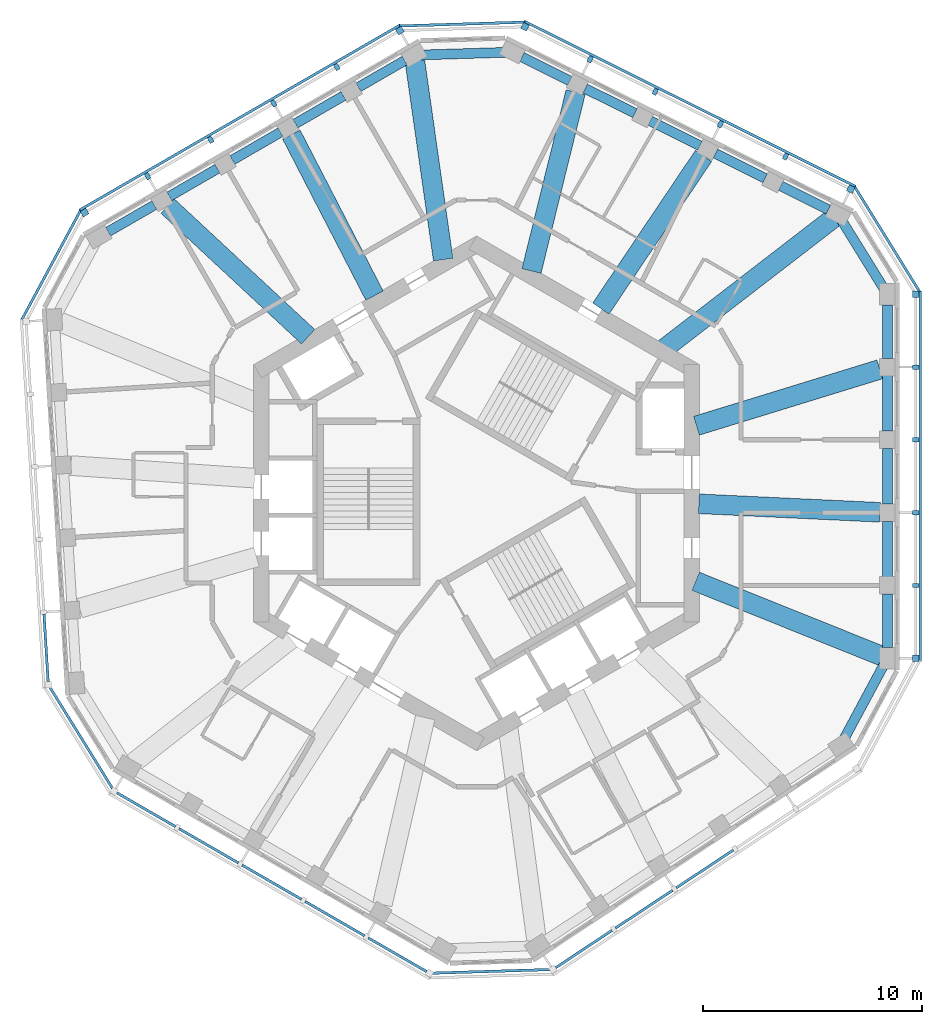
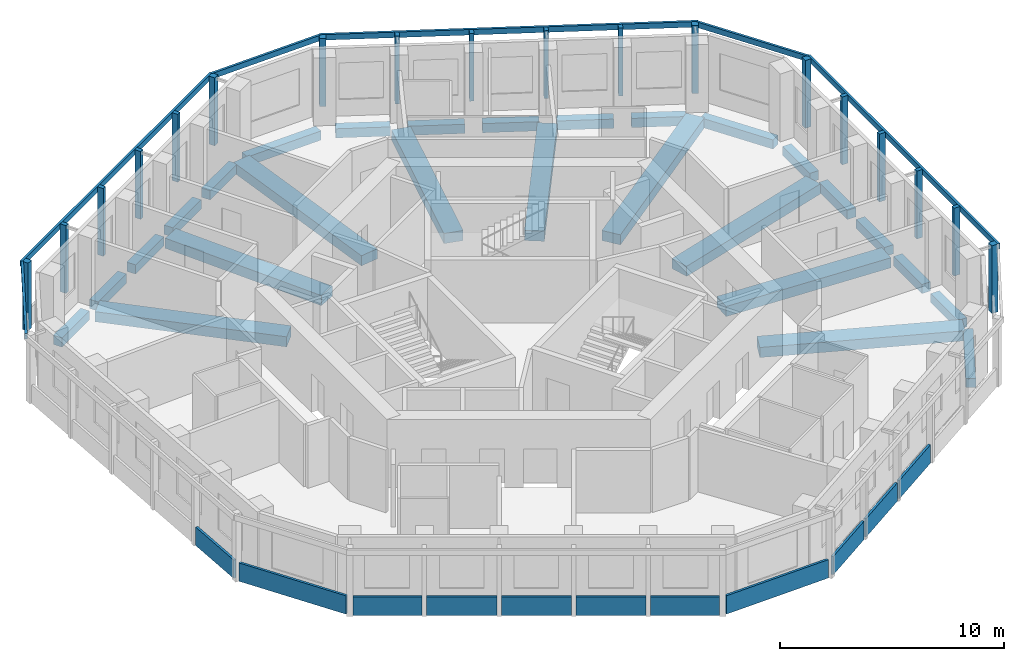
# One storey, part 2 of 11: 27 beams, 24 members, 11 plates, 11 elements without a shape of their own.
"""IFC4 building model written with IfcOpenShell, lengths in metres."""

from ifc_helpers import new_model, si_unit, direction, frame, origin, origin_2d, place, context, subcontext, project, spatial, rectangle, extrude, material, layer, layer_set, material_profile, profile_set, type_object, element, aggregate, save


model = new_model("IFC4")

# Units and contexts
model_context = context("Model", 3, precision=1e-05, world=origin(), true_north=direction((0.0, 1.0)))
body_context = subcontext(model_context, "Body", "Model", "MODEL_VIEW")
ifc_project = project(units=[si_unit("LENGTHUNIT", "METRE"), si_unit("AREAUNIT", "SQUARE_METRE"), si_unit("VOLUMEUNIT", "CUBIC_METRE"), si_unit("PLANEANGLEUNIT", "RADIAN"), si_unit("MASSUNIT", "GRAM", prefix="KILO")], contexts=[model_context])

# Site, building, storey
site_placement = place(None, origin())
site = spatial("IfcSite", under=ifc_project, at=site_placement, CompositionType="ELEMENT")
building_placement = place(site_placement, origin())
building = spatial("IfcBuilding", under=site, at=building_placement, Name="Vanh Sen Convention Tower", CompositionType="ELEMENT")
storey_placement = place(building_placement, frame((0.0, 0.0, 285.699951171875)))
storey = spatial("IfcBuildingStorey", under=building, at=storey_placement, Name="L70", CompositionType="ELEMENT", Elevation=285.699951171875)

# Curtain wall, members
ifc_material_1 = material(Name="Concrete C50/60", Category="concrete")
curtain_wall_type = type_object("IfcCurtainWallType", Name="Outer skin office zone", PredefinedType="NOTDEFINED", material=ifc_material_1)
curtain_wall_1_placement = place(storey_placement, origin())
curtain_wall_1 = element("IfcCurtainWall", 1, at=curtain_wall_1_placement, inside=storey, type_object=curtain_wall_type, Name="OUTER SKIN E L70", PredefinedType="NOTDEFINED")
ifc_material_profile_1 = material_profile(ifc_material_1, rectangle(XDim=0.300048828125, YDim=0.300048828125, at=origin_2d()), Name="Outer skin precast corner fin 300 x 300")
ifc_profile_set_1 = profile_set([ifc_material_profile_1], Name="Concrete C50/60")
member_type_1 = type_object("IfcMemberType", Name="Outer skin precast corner fin 300 x 300", PredefinedType="MULLION", material=ifc_profile_set_1)
member_1_placement = place(storey_placement, frame((20.10009765625, -7.546630859375, 0.0), z_axis=(0.0, 0.0, 1.0), x_axis=(0.0, 1.0, 0.0)))
member_1 = element("IfcMember", 2, at=member_1_placement, type_object=member_type_1, Name="OUTER SKIN CORNER FIN 1 E L70", PredefinedType="MULLION", context=body_context, shape_type="SweptSolid", body=[
    extrude(rectangle(XDim=0.300048828125, YDim=0.300048828125, at=origin_2d()), origin(), (0.0, 0.0, 1.0), 3.699951171875),
])
member_2_placement = place(storey_placement, frame((20.10009765625, 9.111572265625, 0.0), z_axis=(0.0, 0.0, 1.0), x_axis=(0.0, 1.0, 0.0)))
member_2 = element("IfcMember", 3, at=member_2_placement, type_object=member_type_1, Name="OUTER SKIN CORNER FIN 6 E L70", PredefinedType="MULLION", context=body_context, shape_type="SweptSolid", body=[
    extrude(rectangle(XDim=0.300048828125, YDim=0.300048828125, at=origin_2d()), origin(), (0.0, 0.0, 1.0), 3.699951171875),
])

curtain_wall_2_placement = place(storey_placement, origin())
curtain_wall_2 = element("IfcCurtainWall", 4, at=curtain_wall_2_placement, inside=storey, type_object=curtain_wall_type, Name="OUTER SKIN NE L70", PredefinedType="NOTDEFINED")
member_3_placement = place(storey_placement, frame((17.122802734375, 13.922607421875, 0.0), z_axis=(0.0, 0.0, 1.0), x_axis=(-0.894934361602, 0.44619781311, 0.0)))
member_3 = element("IfcMember", 5, at=member_3_placement, type_object=member_type_1, Name="OUTER SKIN CORNER FIN 1 NE L70", PredefinedType="MULLION", context=body_context, shape_type="SweptSolid", body=[
    extrude(rectangle(XDim=0.300048828125, YDim=0.300048828125, at=origin_2d()), origin(), (0.0, 0.0, 1.0), 3.699951171875),
])
member_4_placement = place(storey_placement, frame((2.21484375, 21.35546875, 0.0), z_axis=(0.0, 0.0, 1.0), x_axis=(-0.894934361602, 0.44619781311, 0.0)))
member_4 = element("IfcMember", 6, at=member_4_placement, type_object=member_type_1, Name="OUTER SKIN CORNER FIN 6 NE L70", PredefinedType="MULLION", context=body_context, shape_type="SweptSolid", body=[
    extrude(rectangle(XDim=0.300048828125, YDim=0.300048828125, at=origin_2d()), origin(), (0.0, 0.0, 1.0), 3.699951171875),
])

curtain_wall_3_placement = place(storey_placement, origin())
curtain_wall_3 = element("IfcCurtainWall", 7, at=curtain_wall_3_placement, inside=storey, type_object=curtain_wall_type, Name="OUTER SKIN NW L70", PredefinedType="NOTDEFINED")
member_5_placement = place(storey_placement, frame((-3.514404296875, 21.180419921875, 0.0), z_axis=(0.0, 0.0, 1.0), x_axis=(-0.866025403784, -0.5, 0.0)))
member_5 = element("IfcMember", 8, at=member_5_placement, type_object=member_type_1, Name="OUTER SKIN CORNER FIN 1 NW L70", PredefinedType="MULLION", context=body_context, shape_type="SweptSolid", body=[
    extrude(rectangle(XDim=0.300048828125, YDim=0.300048828125, at=origin_2d()), origin(), (0.0, 0.0, 1.0), 3.699951171875),
])
member_6_placement = place(storey_placement, frame((-17.94091796875, 12.851318359375, 0.0), z_axis=(0.0, 0.0, 1.0), x_axis=(-0.866025403784, -0.5, 0.0)))
member_6 = element("IfcMember", 9, at=member_6_placement, type_object=member_type_1, Name="OUTER SKIN CORNER FIN 6 NW L70", PredefinedType="MULLION", context=body_context, shape_type="SweptSolid", body=[
    extrude(rectangle(XDim=0.300048828125, YDim=0.300048828125, at=origin_2d()), origin(), (0.0, 0.0, 1.0), 3.699951171875),
])

# Member
ifc_material_profile_2 = material_profile(ifc_material_1, rectangle(XDim=0.199951171875, YDim=0.300048828125, at=origin_2d()), Name="Outer skin precast fin 200 x 300")
ifc_profile_set_2 = profile_set([ifc_material_profile_2], Name="Concrete C50/60")
member_type_2 = type_object("IfcMemberType", Name="Outer skin precast fin 200 x 300", PredefinedType="MULLION", material=ifc_profile_set_2)
member_7_placement = place(storey_placement, frame((20.10009765625, -4.215087890625, 0.0), z_axis=(0.0, 0.0, 1.0), x_axis=(0.0, 1.0, 0.0)))
member_7 = element("IfcMember", 10, at=member_7_placement, type_object=member_type_2, Name="OUTER SKIN fin 2 E L70", PredefinedType="MULLION", context=body_context, shape_type="SweptSolid", body=[
    extrude(rectangle(XDim=0.199951171875, YDim=0.300048828125, at=origin_2d()), origin(), (0.0, 0.0, 1.0), 3.699951171875),
])

member_8_placement = place(storey_placement, frame((20.10009765625, -0.88330078125, 0.0), z_axis=(0.0, 0.0, 1.0), x_axis=(0.0, 1.0, 0.0)))
member_8 = element("IfcMember", 11, at=member_8_placement, type_object=member_type_2, Name="OUTER SKIN fin 3 E L70", PredefinedType="MULLION", context=body_context, shape_type="SweptSolid", body=[
    extrude(rectangle(XDim=0.199951171875, YDim=0.300048828125, at=origin_2d()), origin(), (0.0, 0.0, 1.0), 3.699951171875),
])

member_9_placement = place(storey_placement, frame((20.10009765625, 2.4482421875, 0.0), z_axis=(0.0, 0.0, 1.0), x_axis=(0.0, 1.0, 0.0)))
member_9 = element("IfcMember", 12, at=member_9_placement, type_object=member_type_2, Name="OUTER SKIN fin 4 E L70", PredefinedType="MULLION", context=body_context, shape_type="SweptSolid", body=[
    extrude(rectangle(XDim=0.199951171875, YDim=0.300048828125, at=origin_2d()), origin(), (0.0, 0.0, 1.0), 3.699951171875),
])

member_10_placement = place(storey_placement, frame((20.10009765625, 5.77978515625, 0.0), z_axis=(0.0, 0.0, 1.0), x_axis=(0.0, 1.0, 0.0)))
member_10 = element("IfcMember", 13, at=member_10_placement, type_object=member_type_2, Name="OUTER SKIN fin 5 E L70", PredefinedType="MULLION", context=body_context, shape_type="SweptSolid", body=[
    extrude(rectangle(XDim=0.199951171875, YDim=0.300048828125, at=origin_2d()), origin(), (0.0, 0.0, 1.0), 3.699951171875),
])

member_11_placement = place(storey_placement, frame((14.14111328125, 15.4091796875, 0.0), z_axis=(0.0, 0.0, 1.0), x_axis=(-0.894934361602, 0.44619781311, 0.0)))
member_11 = element("IfcMember", 14, at=member_11_placement, type_object=member_type_2, Name="OUTER SKIN fin 2 NE L70", PredefinedType="MULLION", context=body_context, shape_type="SweptSolid", body=[
    extrude(rectangle(XDim=0.199951171875, YDim=0.300048828125, at=origin_2d()), origin(), (0.0, 0.0, 1.0), 3.699951171875),
])

member_12_placement = place(storey_placement, frame((11.15966796875, 16.895751953125, 0.0), z_axis=(0.0, 0.0, 1.0), x_axis=(-0.894934361602, 0.44619781311, 0.0)))
member_12 = element("IfcMember", 15, at=member_12_placement, type_object=member_type_2, Name="OUTER SKIN fin 3 NE L70", PredefinedType="MULLION", context=body_context, shape_type="SweptSolid", body=[
    extrude(rectangle(XDim=0.199951171875, YDim=0.300048828125, at=origin_2d()), origin(), (0.0, 0.0, 1.0), 3.699951171875),
])

member_13_placement = place(storey_placement, frame((8.177978515625, 18.38232421875, 0.0), z_axis=(0.0, 0.0, 1.0), x_axis=(-0.894934361602, 0.44619781311, 0.0)))
member_13 = element("IfcMember", 16, at=member_13_placement, type_object=member_type_2, Name="OUTER SKIN fin 4 NE L70", PredefinedType="MULLION", context=body_context, shape_type="SweptSolid", body=[
    extrude(rectangle(XDim=0.199951171875, YDim=0.300048828125, at=origin_2d()), origin(), (0.0, 0.0, 1.0), 3.699951171875),
])

member_14_placement = place(storey_placement, frame((5.1962890625, 19.868896484375, 0.0), z_axis=(0.0, 0.0, 1.0), x_axis=(-0.894934361602, 0.44619781311, 0.0)))
member_14 = element("IfcMember", 17, at=member_14_placement, type_object=member_type_2, Name="OUTER SKIN fin 5 NE L70", PredefinedType="MULLION", context=body_context, shape_type="SweptSolid", body=[
    extrude(rectangle(XDim=0.199951171875, YDim=0.300048828125, at=origin_2d()), origin(), (0.0, 0.0, 1.0), 3.699951171875),
])

member_15_placement = place(storey_placement, frame((-6.399658203125, 19.5146484375, 0.0), z_axis=(0.0, 0.0, 1.0), x_axis=(-0.866025403784, -0.5, 0.0)))
member_15 = element("IfcMember", 18, at=member_15_placement, type_object=member_type_2, Name="OUTER SKIN fin 2 NW L70", PredefinedType="MULLION", context=body_context, shape_type="SweptSolid", body=[
    extrude(rectangle(XDim=0.199951171875, YDim=0.300048828125, at=origin_2d()), origin(), (0.0, 0.0, 1.0), 3.699951171875),
])

member_16_placement = place(storey_placement, frame((-9.284912109375, 17.848876953125, 0.0), z_axis=(0.0, 0.0, 1.0), x_axis=(-0.866025403784, -0.5, 0.0)))
member_16 = element("IfcMember", 19, at=member_16_placement, type_object=member_type_2, Name="OUTER SKIN fin 3 NW L70", PredefinedType="MULLION", context=body_context, shape_type="SweptSolid", body=[
    extrude(rectangle(XDim=0.199951171875, YDim=0.300048828125, at=origin_2d()), origin(), (0.0, 0.0, 1.0), 3.699951171875),
])

member_17_placement = place(storey_placement, frame((-12.170166015625, 16.18310546875, 0.0), z_axis=(0.0, 0.0, 1.0), x_axis=(-0.866025403784, -0.5, 0.0)))
member_17 = element("IfcMember", 20, at=member_17_placement, type_object=member_type_2, Name="OUTER SKIN fin 4 NW L70", PredefinedType="MULLION", context=body_context, shape_type="SweptSolid", body=[
    extrude(rectangle(XDim=0.199951171875, YDim=0.300048828125, at=origin_2d()), origin(), (0.0, 0.0, 1.0), 3.699951171875),
])

member_18_placement = place(storey_placement, frame((-15.055419921875, 14.51708984375, 0.0), z_axis=(0.0, 0.0, 1.0), x_axis=(-0.866025403784, -0.5, 0.0)))
member_18 = element("IfcMember", 21, at=member_18_placement, type_object=member_type_2, Name="OUTER SKIN fin 5 NW L70", PredefinedType="MULLION", context=body_context, shape_type="SweptSolid", body=[
    extrude(rectangle(XDim=0.199951171875, YDim=0.300048828125, at=origin_2d()), origin(), (0.0, 0.0, 1.0), 3.699951171875),
])

ifc_material_profile_3 = material_profile(ifc_material_1, rectangle(XDim=0.1201171875, YDim=0.300048828125, at=origin_2d()), Name="Outer skin precast spandrel band 300 x 120")
ifc_profile_set_3 = profile_set([ifc_material_profile_3], Name="Concrete C50/60")
member_type_3 = type_object("IfcMemberType", Name="Outer skin precast spandrel band 300 x 120", PredefinedType="USERDEFINED", material=ifc_profile_set_3)
member_19_placement = place(storey_placement, frame((20.31005859375, -7.69677734375, 3.550048828125), z_axis=(0.0, 1.0, 0.0), x_axis=(-1.0, 0.0, 0.0)))
member_19 = element("IfcMember", 22, at=member_19_placement, type_object=member_type_3, Name="OUTER SKIN spandrel band E L70", ObjectType="TRANSOM", PredefinedType="USERDEFINED", context=body_context, shape_type="SweptSolid", body=[
    extrude(rectangle(XDim=0.1201171875, YDim=0.300048828125, at=origin_2d()), origin(), (0.0, 0.0, 1.0), 16.958251953125),
])

aggregate(curtain_wall_1, [member_1, member_7, member_8, member_9, member_10, member_2, member_19])

# Curtain wall, member
curtain_wall_4_placement = place(storey_placement, origin())
curtain_wall_4 = element("IfcCurtainWall", 23, at=curtain_wall_4_placement, inside=storey, type_object=curtain_wall_type, Name="OUTER SKIN CH1 L70", PredefinedType="NOTDEFINED")
member_20_placement = place(storey_placement, frame((20.278564453125, 9.221923828125, 3.550048828125), z_axis=(-0.52621200061, 0.850353415007, 0.0), x_axis=(-0.850353415007, -0.52621200061, 0.0)))
member_20 = element("IfcMember", 24, at=member_20_placement, type_object=member_type_3, Name="OUTER SKIN spandrel band CH1 L70", ObjectType="TRANSOM", PredefinedType="USERDEFINED", context=body_context, shape_type="SweptSolid", body=[
    extrude(rectangle(XDim=0.1201171875, YDim=0.300048828125, at=origin_2d()), origin(), (0.0, 0.0, 1.0), 5.657958984375),
])
aggregate(curtain_wall_4, [member_20])

# Member
member_21_placement = place(storey_placement, frame((17.3505859375, 14.043701171875, 3.550048828125), z_axis=(-0.894933383827, 0.446199774218, 0.0), x_axis=(-0.446199774218, -0.894933383827, 0.0)))
member_21 = element("IfcMember", 25, at=member_21_placement, type_object=member_type_3, Name="OUTER SKIN spandrel band NE L70", ObjectType="TRANSOM", PredefinedType="USERDEFINED", context=body_context, shape_type="SweptSolid", body=[
    extrude(rectangle(XDim=0.1201171875, YDim=0.300048828125, at=origin_2d()), origin(), (0.0, 0.0, 1.0), 16.9580078125),
])

aggregate(curtain_wall_2, [member_3, member_11, member_12, member_13, member_14, member_4, member_21])

# Curtain wall, member
curtain_wall_5_placement = place(storey_placement, origin())
curtain_wall_5 = element("IfcCurtainWall", 26, at=curtain_wall_5_placement, inside=storey, type_object=curtain_wall_type, Name="OUTER SKIN CH2 L70", PredefinedType="NOTDEFINED")
member_22_placement = place(storey_placement, frame((2.208251953125, 21.5654296875, 3.550048828125), z_axis=(-0.999533527312, -0.030540592307, 0.0), x_axis=(0.030540592307, -0.999533527312, 0.0)))
member_22 = element("IfcMember", 27, at=member_22_placement, type_object=member_type_3, Name="OUTER SKIN spandrel band CH2 L70", ObjectType="TRANSOM", PredefinedType="USERDEFINED", context=body_context, shape_type="SweptSolid", body=[
    extrude(rectangle(XDim=0.1201171875, YDim=0.300048828125, at=origin_2d()), origin(), (0.0, 0.0, 1.0), 5.731689453125),
])
aggregate(curtain_wall_5, [member_22])

# Member
member_23_placement = place(storey_placement, frame((-3.489501953125, 21.4375, 3.550048828125), z_axis=(-0.866022320763, -0.500005339912, 0.0), x_axis=(0.500005339912, -0.866022320763, 0.0)))
member_23 = element("IfcMember", 28, at=member_23_placement, type_object=member_type_3, Name="OUTER SKIN spandrel band NW L70", ObjectType="TRANSOM", PredefinedType="USERDEFINED", context=body_context, shape_type="SweptSolid", body=[
    extrude(rectangle(XDim=0.1201171875, YDim=0.300048828125, at=origin_2d()), origin(), (0.0, 0.0, 1.0), 16.958251953125),
])

aggregate(curtain_wall_3, [member_5, member_15, member_16, member_17, member_18, member_6, member_23])

# Curtain wall, member
curtain_wall_6_placement = place(storey_placement, origin())
curtain_wall_6 = element("IfcCurtainWall", 29, at=curtain_wall_6_placement, inside=storey, type_object=curtain_wall_type, Name="OUTER SKIN CH3 L70", PredefinedType="NOTDEFINED")
member_24_placement = place(storey_placement, frame((-18.125732421875, 12.95068359375, 3.550048828125), z_axis=(-0.473325096028, -0.880887821161, 0.0), x_axis=(0.880887821161, -0.473325096028, 0.0)))
member_24 = element("IfcMember", 30, at=member_24_placement, type_object=member_type_3, Name="OUTER SKIN spandrel band CH3 L70", ObjectType="TRANSOM", PredefinedType="USERDEFINED", context=body_context, shape_type="SweptSolid", body=[
    extrude(rectangle(XDim=0.1201171875, YDim=0.300048828125, at=origin_2d()), origin(), (0.0, 0.0, 1.0), 5.65771484375),
])
aggregate(curtain_wall_6, [member_24])

# Beams
ifc_material_2 = material(Name="Concrete C50/60", Category="concrete")
ifc_material_profile_4 = material_profile(ifc_material_2, rectangle(XDim=0.89990234375, YDim=0.550048828125, at=origin_2d()), Name="RC 900X550")
ifc_profile_set_4 = profile_set([ifc_material_profile_4], Name="Concrete C50/60")
beam_type_1 = type_object("IfcBeamType", Name="Radial floor beam 900 x 550", PredefinedType="BEAM", material=ifc_profile_set_4)
beam_1_placement = place(storey_placement, frame((18.622314453125, -7.475341796875, -0.554931640625), z_axis=(-0.928026959264, 0.372513037194, 0.0), x_axis=(-0.372513037194, -0.928026959264, 0.0)))
element("IfcBeam", 31, at=beam_1_placement, inside=storey, type_object=beam_type_1, Name="Radial beam 01 L70", PredefinedType="BEAM", context=body_context, shape_type="SweptSolid", body=[
    extrude(rectangle(XDim=0.89990234375, YDim=0.550048828125, at=origin_2d()), origin(), (0.0, 0.0, 1.0), 9.26123046875),
])
beam_2_placement = place(storey_placement, frame((18.455078125, -0.8671875, -0.554931640625), z_axis=(-0.998897657942, 0.046941122251, 0.0), x_axis=(-0.046941122251, -0.998897657942, 0.0)))
element("IfcBeam", 32, at=beam_2_placement, inside=storey, type_object=beam_type_1, Name="Radial beam 02 L70", PredefinedType="BEAM", context=body_context, shape_type="SweptSolid", body=[
    extrude(rectangle(XDim=0.89990234375, YDim=0.550048828125, at=origin_2d()), origin(), (0.0, 0.0, 1.0), 8.290283203125),
])
beam_3_placement = place(storey_placement, frame((18.454833984375, 5.673828125, -0.554931640625), z_axis=(-0.955843920829, -0.293874801598, 0.0), x_axis=(0.293874801598, -0.955843920829, 0.0)))
element("IfcBeam", 33, at=beam_3_placement, inside=storey, type_object=beam_type_1, Name="Radial beam 03 L70", PredefinedType="BEAM", context=body_context, shape_type="SweptSolid", body=[
    extrude(rectangle(XDim=0.89990234375, YDim=0.550048828125, at=origin_2d()), origin(), (0.0, 0.0, 1.0), 8.779541015625),
])
beam_4_placement = place(storey_placement, frame((16.411376953125, 12.657958984375, -0.554931640625), z_axis=(-0.79182558746, -0.610747279194, 0.0), x_axis=(0.610747279194, -0.79182558746, 0.0)))
element("IfcBeam", 34, at=beam_4_placement, inside=storey, type_object=beam_type_1, Name="Radial beam 04 L70", PredefinedType="BEAM", context=body_context, shape_type="SweptSolid", body=[
    extrude(rectangle(XDim=0.89990234375, YDim=0.550048828125, at=origin_2d()), origin(), (0.0, 0.0, 1.0), 9.88671875),
])
beam_5_placement = place(storey_placement, frame((10.385498046875, 15.443603515625, -0.554931640625), z_axis=(-0.558040264106, -0.829813872887, 0.0), x_axis=(0.829813872887, -0.558040264106, 0.0)))
element("IfcBeam", 35, at=beam_5_placement, inside=storey, type_object=beam_type_1, Name="Radial beam 05 L70", PredefinedType="BEAM", context=body_context, shape_type="SweptSolid", body=[
    extrude(rectangle(XDim=0.89990234375, YDim=0.550048828125, at=origin_2d()), origin(), (0.0, 0.0, 1.0), 8.422607421875),
])
beam_6_placement = place(storey_placement, frame((4.531494140625, 18.362060546875, -0.554931640625), z_axis=(-0.239597489025, -0.970872310478, 0.0), x_axis=(0.970872310478, -0.239597489025, 0.0)))
element("IfcBeam", 36, at=beam_6_placement, inside=storey, type_object=beam_type_1, Name="Radial beam 06 L70", PredefinedType="BEAM", context=body_context, shape_type="SweptSolid", body=[
    extrude(rectangle(XDim=0.89990234375, YDim=0.550048828125, at=origin_2d()), origin(), (0.0, 0.0, 1.0), 8.429931640625),
])
beam_7_placement = place(storey_placement, frame((-2.837158203125, 19.864990234375, -0.554931640625), z_axis=(0.14138075825, -0.989955292524, 0.0), x_axis=(0.989955292524, 0.14138075825, 0.0)))
element("IfcBeam", 37, at=beam_7_placement, inside=storey, type_object=beam_type_1, Name="Radial beam 07 L70", PredefinedType="BEAM", context=body_context, shape_type="SweptSolid", body=[
    extrude(rectangle(XDim=0.89990234375, YDim=0.550048828125, at=origin_2d()), origin(), (0.0, 0.0, 1.0), 9.260986328125),
])
beam_8_placement = place(storey_placement, frame((-8.476318359375, 16.416015625, -0.554931640625), z_axis=(0.458790692305, -0.888544371798, 0.0), x_axis=(0.888544371798, 0.458790692305, 0.0)))
element("IfcBeam", 38, at=beam_8_placement, inside=storey, type_object=beam_type_1, Name="Radial beam 08 L70", PredefinedType="BEAM", context=body_context, shape_type="SweptSolid", body=[
    extrude(rectangle(XDim=0.89990234375, YDim=0.550048828125, at=origin_2d()), origin(), (0.0, 0.0, 1.0), 8.290283203125),
])
beam_9_placement = place(storey_placement, frame((-14.14111328125, 13.1455078125, -0.554931640625), z_axis=(0.732427923733, -0.680844575902, 0.0), x_axis=(0.680844575902, 0.732427923733, 0.0)))
element("IfcBeam", 39, at=beam_9_placement, inside=storey, type_object=beam_type_1, Name="Radial beam 09 L70", PredefinedType="BEAM", context=body_context, shape_type="SweptSolid", body=[
    extrude(rectangle(XDim=0.89990234375, YDim=0.550048828125, at=origin_2d()), origin(), (0.0, 0.0, 1.0), 8.779541015625),
])
ifc_material_profile_5 = material_profile(ifc_material_2, rectangle(XDim=0.449951171875, YDim=0.5, at=origin_2d()), Name="RC 450X500")
ifc_profile_set_5 = profile_set([ifc_material_profile_5], Name="Concrete C50/60")
beam_type_2 = type_object("IfcBeamType", Name="Spandrel beam 450 x 500", PredefinedType="SPANDREL", material=ifc_profile_set_5)
beam_10_placement = place(storey_placement, frame((18.800048828125, -7.0517578125, -0.530029296875), z_axis=(0.0, 1.0, 0.0), x_axis=(-1.0, 0.0, 0.0)))
element("IfcBeam", 40, at=beam_10_placement, inside=storey, type_object=beam_type_2, Name="Spandrel beam 01 L70", PredefinedType="SPANDREL", context=body_context, shape_type="SweptSolid", body=[
    extrude(rectangle(XDim=0.449951171875, YDim=0.5, at=origin_2d()), origin(), (0.0, 0.0, 1.0), 2.441650390625),
])
beam_11_placement = place(storey_placement, frame((18.800048828125, -3.820068359375, -0.530029296875), z_axis=(0.0, 1.0, 0.0), x_axis=(-1.0, 0.0, 0.0)))
element("IfcBeam", 41, at=beam_11_placement, inside=storey, type_object=beam_type_2, Name="Spandrel beam 02 L70", PredefinedType="SPANDREL", context=body_context, shape_type="SweptSolid", body=[
    extrude(rectangle(XDim=0.449951171875, YDim=0.5, at=origin_2d()), origin(), (0.0, 0.0, 1.0), 2.541748046875),
])
beam_12_placement = place(storey_placement, frame((18.800048828125, -0.48828125, -0.530029296875), z_axis=(0.0, 1.0, 0.0), x_axis=(-1.0, 0.0, 0.0)))
element("IfcBeam", 42, at=beam_12_placement, inside=storey, type_object=beam_type_2, Name="Spandrel beam 03 L70", PredefinedType="SPANDREL", context=body_context, shape_type="SweptSolid", body=[
    extrude(rectangle(XDim=0.449951171875, YDim=0.5, at=origin_2d()), origin(), (0.0, 0.0, 1.0), 2.54150390625),
])
beam_13_placement = place(storey_placement, frame((18.800048828125, 2.84326171875, -0.530029296875), z_axis=(0.0, 1.0, 0.0), x_axis=(-1.0, 0.0, 0.0)))
element("IfcBeam", 43, at=beam_13_placement, inside=storey, type_object=beam_type_2, Name="Spandrel beam 04 L70", PredefinedType="SPANDREL", context=body_context, shape_type="SweptSolid", body=[
    extrude(rectangle(XDim=0.449951171875, YDim=0.5, at=origin_2d()), origin(), (0.0, 0.0, 1.0), 2.541748046875),
])
beam_14_placement = place(storey_placement, frame((18.800048828125, 6.1748046875, -0.530029296875), z_axis=(0.0, 1.0, 0.0), x_axis=(-1.0, 0.0, 0.0)))
element("IfcBeam", 44, at=beam_14_placement, inside=storey, type_object=beam_type_2, Name="Spandrel beam 05 L70", PredefinedType="SPANDREL", context=body_context, shape_type="SweptSolid", body=[
    extrude(rectangle(XDim=0.449951171875, YDim=0.5, at=origin_2d()), origin(), (0.0, 0.0, 1.0), 2.441650390625),
])
beam_15_placement = place(storey_placement, frame((18.64404296875, 9.36376953125, -0.530029296875), z_axis=(-0.526247747243, 0.850331293392, 0.0), x_axis=(-0.850331293392, -0.526247747243, 0.0)))
element("IfcBeam", 45, at=beam_15_placement, inside=storey, type_object=beam_type_2, Name="Spandrel beam 06 L70", PredefinedType="SPANDREL", context=body_context, shape_type="SweptSolid", body=[
    extrude(rectangle(XDim=0.449951171875, YDim=0.5, at=origin_2d()), origin(), (0.0, 0.0, 1.0), 3.696533203125),
])
beam_16_placement = place(storey_placement, frame((16.099609375, 12.97998046875, -0.530029296875), z_axis=(-0.894906625839, 0.446253438114, 0.0), x_axis=(-0.446253438114, -0.894906625839, 0.0)))
element("IfcBeam", 46, at=beam_16_placement, inside=storey, type_object=beam_type_2, Name="Spandrel beam 07 L70", PredefinedType="SPANDREL", context=body_context, shape_type="SweptSolid", body=[
    extrude(rectangle(XDim=0.449951171875, YDim=0.5, at=origin_2d()), origin(), (0.0, 0.0, 1.0), 2.441650390625),
])
beam_17_placement = place(storey_placement, frame((13.20751953125, 14.422119140625, -0.530029296875), z_axis=(-0.894926162451, 0.446214257684, 0.0), x_axis=(-0.446214257684, -0.894926162451, 0.0)))
element("IfcBeam", 47, at=beam_17_placement, inside=storey, type_object=beam_type_2, Name="Spandrel beam 08 L70", PredefinedType="SPANDREL", context=body_context, shape_type="SweptSolid", body=[
    extrude(rectangle(XDim=0.449951171875, YDim=0.5, at=origin_2d()), origin(), (0.0, 0.0, 1.0), 2.54150390625),
])
for number, where, z_axis, x_axis, name in (
    (48, (10.22607421875, 15.90869140625, -0.530029296875), (-0.894945286886, 0.446175899709, 0.0), (-0.446175899709, -0.894945286886, 0.0), "Spandrel beam 09 L70"),
    (49, (7.244384765625, 17.395263671875, -0.530029296875), (-0.894945286886, 0.446175899709, 0.0), (-0.446175899709, -0.894945286886, 0.0), "Spandrel beam 10 L70"),
):
    element("IfcBeam", number, at=place(storey_placement, frame(where, z_axis=z_axis, x_axis=x_axis)), inside=storey, type_object=beam_type_2, Name=name, PredefinedType="SPANDREL", context=body_context, shape_type="SweptSolid", body=[
        extrude(rectangle(XDim=0.449951171875, YDim=0.5, at=origin_2d()), origin(), (0.0, 0.0, 1.0), 2.541748046875),
    ])
beam_18_placement = place(storey_placement, frame((4.2626953125, 18.881591796875, -0.530029296875), z_axis=(-0.894906625839, 0.446253438114, 0.0), x_axis=(-0.446253438114, -0.894906625839, 0.0)))
element("IfcBeam", 50, at=beam_18_placement, inside=storey, type_object=beam_type_2, Name="Spandrel beam 11 L70", PredefinedType="SPANDREL", context=body_context, shape_type="SweptSolid", body=[
    extrude(rectangle(XDim=0.449951171875, YDim=0.5, at=origin_2d()), origin(), (0.0, 0.0, 1.0), 2.441650390625),
])
beam_19_placement = place(storey_placement, frame((1.319091796875, 20.1826171875, -0.530029296875), z_axis=(-0.9995317546, -0.030598554629, 0.0), x_axis=(0.030598554629, -0.9995317546, 0.0)))
element("IfcBeam", 51, at=beam_19_placement, inside=storey, type_object=beam_type_2, Name="Spandrel beam 12 L70", PredefinedType="SPANDREL", context=body_context, shape_type="SweptSolid", body=[
    extrude(rectangle(XDim=0.449951171875, YDim=0.5, at=origin_2d()), origin(), (0.0, 0.0, 1.0), 3.86962890625),
])
beam_20_placement = place(storey_placement, frame((-3.29296875, 19.80712890625, -0.530029296875), z_axis=(-0.866000753341, -0.500042693391, 0.0), x_axis=(0.500042693391, -0.866000753341, 0.0)))
element("IfcBeam", 52, at=beam_20_placement, inside=storey, type_object=beam_type_2, Name="Spandrel beam 13 L70", PredefinedType="SPANDREL", context=body_context, shape_type="SweptSolid", body=[
    extrude(rectangle(XDim=0.449951171875, YDim=0.5, at=origin_2d()), origin(), (0.0, 0.0, 1.0), 2.441650390625),
])
for number, where, z_axis, x_axis, name in (
    (53, (-6.091796875, 18.19140625, -0.530029296875), (-0.86597601289, -0.500085537782, 0.0), (0.500085537782, -0.86597601289, 0.0), "Spandrel beam 14 L70"),
    (54, (-8.97705078125, 16.525390625, -0.530029296875), (-0.866017611601, -0.500013496215, 0.0), (0.500013496215, -0.866017611601, 0.0), "Spandrel beam 15 L70"),
):
    element("IfcBeam", number, at=place(storey_placement, frame(where, z_axis=z_axis, x_axis=x_axis)), inside=storey, type_object=beam_type_2, Name=name, PredefinedType="SPANDREL", context=body_context, shape_type="SweptSolid", body=[
        extrude(rectangle(XDim=0.449951171875, YDim=0.5, at=origin_2d()), origin(), (0.0, 0.0, 1.0), 2.54150390625),
    ])
beam_21_placement = place(storey_placement, frame((-11.8623046875, 14.859619140625, -0.530029296875), z_axis=(-0.866041625918, -0.499971901387, 0.0), x_axis=(0.499971901387, -0.866041625918, 0.0)))
element("IfcBeam", 55, at=beam_21_placement, inside=storey, type_object=beam_type_2, Name="Spandrel beam 16 L70", PredefinedType="SPANDREL", context=body_context, shape_type="SweptSolid", body=[
    extrude(rectangle(XDim=0.449951171875, YDim=0.5, at=origin_2d()), origin(), (0.0, 0.0, 1.0), 2.541748046875),
])
beam_22_placement = place(storey_placement, frame((-14.74755859375, 13.19384765625, -0.530029296875), z_axis=(-0.866000753341, -0.500042693391, 0.0), x_axis=(0.500042693391, -0.866000753341, 0.0)))
element("IfcBeam", 56, at=beam_22_placement, inside=storey, type_object=beam_type_2, Name="Spandrel beam 17 L70", PredefinedType="SPANDREL", context=body_context, shape_type="SweptSolid", body=[
    extrude(rectangle(XDim=0.449951171875, YDim=0.5, at=origin_2d()), origin(), (0.0, 0.0, 1.0), 2.441650390625),
])
beam_23_placement = place(storey_placement, frame((16.81884765625, -11.233642578125, -0.530029296875), z_axis=(0.473339711837, 0.880879967531, 0.0), x_axis=(-0.880879967531, 0.473339711837, 0.0)))
element("IfcBeam", 57, at=beam_23_placement, inside=storey, type_object=beam_type_2, Name="Spandrel beam 36 L70", PredefinedType="SPANDREL", context=body_context, shape_type="SweptSolid", body=[
    extrude(rectangle(XDim=0.449951171875, YDim=0.5, at=origin_2d()), origin(), (0.0, 0.0, 1.0), 3.869873046875),
])

# Curtain wall, plate
curtain_wall_7_placement = place(storey_placement, origin())
curtain_wall_7 = element("IfcCurtainWall", 58, at=curtain_wall_7_placement, inside=storey, type_object=curtain_wall_type, Name="OUTER SKIN W L70", PredefinedType="NOTDEFINED")
ifc_layer = layer(ifc_material_1, 0.1201171875)
ifc_layer_set = layer_set([ifc_layer], Name="Concrete C50/60")
plate_type = type_object("IfcPlateType", Name="Outer skin precast screen panel 120", PredefinedType="CURTAIN_PANEL", material=ifc_layer_set)
plate_1_placement = place(storey_placement, frame((-19.705078125, -7.072021484375, 0.0), z_axis=(0.0, 0.0, 1.0), x_axis=(0.061050281609, -0.998134691871, 0.0)))
plate_1 = element("IfcPlate", 59, at=plate_1_placement, type_object=plate_type, Name="OUTER SKIN screen panel W-5", PredefinedType="CURTAIN_PANEL", context=body_context, shape_type="SweptSolid", body=[
    extrude(rectangle(XDim=3.081787109375, YDim=0.1201171875, at=origin_2d()), origin(), (0.0, 0.0, 1.0), 1.0),
])
aggregate(curtain_wall_7, [plate_1])

curtain_wall_8_placement = place(storey_placement, origin())
curtain_wall_8 = element("IfcCurtainWall", 60, at=curtain_wall_8_placement, inside=storey, type_object=curtain_wall_type, Name="OUTER SKIN CH4 L70", PredefinedType="NOTDEFINED")
plate_2_placement = place(storey_placement, frame((-18.09375, -11.19677734375, 0.0), z_axis=(0.0, 0.0, 1.0), x_axis=(0.526210955359, -0.850354061823, 0.0)))
plate_2 = element("IfcPlate", 61, at=plate_2_placement, type_object=plate_type, Name="OUTER SKIN screen panel CH4-1", PredefinedType="CURTAIN_PANEL", context=body_context, shape_type="SweptSolid", body=[
    extrude(rectangle(XDim=5.431640625, YDim=0.1201171875, at=origin_2d()), origin(), (0.0, 0.0, 1.0), 1.0),
])
aggregate(curtain_wall_8, [plate_2])

# Curtain wall, plates
curtain_wall_9_placement = place(storey_placement, origin())
curtain_wall_9 = element("IfcCurtainWall", 62, at=curtain_wall_9_placement, inside=storey, type_object=curtain_wall_type, Name="OUTER SKIN SW L70", PredefinedType="NOTDEFINED")
plate_3_placement = place(storey_placement, frame((-15.121337890625, -14.47900390625, 0.0), z_axis=(0.0, 0.0, 1.0), x_axis=(0.866028894422, -0.49999395399, 0.0)))
plate_3 = element("IfcPlate", 63, at=plate_3_placement, type_object=plate_type, Name="OUTER SKIN screen panel SW-1", PredefinedType="CURTAIN_PANEL", context=body_context, shape_type="SweptSolid", body=[
    extrude(rectangle(XDim=3.08154296875, YDim=0.1201171875, at=origin_2d()), origin(), (0.0, 0.0, 1.0), 1.0),
])
plate_4_placement = place(storey_placement, frame((-12.2578125, -16.132568359375, 0.0), z_axis=(0.0, 0.0, 1.0), x_axis=(0.866015804314, -0.500016626402, 0.0)))
plate_4 = element("IfcPlate", 64, at=plate_4_placement, type_object=plate_type, Name="OUTER SKIN screen panel SW-2", PredefinedType="CURTAIN_PANEL", context=body_context, shape_type="SweptSolid", body=[
    extrude(rectangle(XDim=3.131591796875, YDim=0.1201171875, at=origin_2d()), origin(), (0.0, 0.0, 1.0), 1.0),
])
plate_5_placement = place(storey_placement, frame((-9.37255859375, -17.79833984375, 0.0), z_axis=(0.0, 0.0, 1.0), x_axis=(0.866028894422, -0.49999395399, 0.0)))
plate_5 = element("IfcPlate", 65, at=plate_5_placement, type_object=plate_type, Name="OUTER SKIN screen panel SW-3", PredefinedType="CURTAIN_PANEL", context=body_context, shape_type="SweptSolid", body=[
    extrude(rectangle(XDim=3.131591796875, YDim=0.1201171875, at=origin_2d()), origin(), (0.0, 0.0, 1.0), 1.0),
])
plate_6_placement = place(storey_placement, frame((-6.487060546875, -19.464111328125, 0.0), z_axis=(0.0, 0.0, 1.0), x_axis=(0.866028894422, -0.49999395399, 0.0)))
plate_6 = element("IfcPlate", 66, at=plate_6_placement, type_object=plate_type, Name="OUTER SKIN screen panel SW-4", PredefinedType="CURTAIN_PANEL", context=body_context, shape_type="SweptSolid", body=[
    extrude(rectangle(XDim=3.131591796875, YDim=0.1201171875, at=origin_2d()), origin(), (0.0, 0.0, 1.0), 1.0),
])
plate_7_placement = place(storey_placement, frame((-3.62353515625, -21.117431640625, 0.0), z_axis=(0.0, 0.0, 1.0), x_axis=(0.866028894422, -0.49999395399, 0.0)))
plate_7 = element("IfcPlate", 67, at=plate_7_placement, type_object=plate_type, Name="OUTER SKIN screen panel SW-5", PredefinedType="CURTAIN_PANEL", context=body_context, shape_type="SweptSolid", body=[
    extrude(rectangle(XDim=3.08154296875, YDim=0.1201171875, at=origin_2d()), origin(), (0.0, 0.0, 1.0), 1.0),
])
aggregate(curtain_wall_9, [plate_3, plate_4, plate_5, plate_6, plate_7])

# Curtain wall, plate
curtain_wall_10_placement = place(storey_placement, origin())
curtain_wall_10 = element("IfcCurtainWall", 68, at=curtain_wall_10_placement, inside=storey, type_object=curtain_wall_type, Name="OUTER SKIN CH5 L70", PredefinedType="NOTDEFINED")
plate_8_placement = place(storey_placement, frame((0.66845703125, -21.87646484375, 0.0), z_axis=(0.0, 0.0, 1.0), x_axis=(0.999533590837, 0.03053851321, 0.0)))
plate_8 = element("IfcPlate", 69, at=plate_8_placement, type_object=plate_type, Name="OUTER SKIN screen panel CH5-1", PredefinedType="CURTAIN_PANEL", context=body_context, shape_type="SweptSolid", body=[
    extrude(rectangle(XDim=5.35791015625, YDim=0.1201171875, at=origin_2d()), origin(), (0.0, 0.0, 1.0), 1.0),
])
aggregate(curtain_wall_10, [plate_8])

# Curtain wall, plates
curtain_wall_11_placement = place(storey_placement, origin())
curtain_wall_11 = element("IfcCurtainWall", 70, at=curtain_wall_11_placement, inside=storey, type_object=curtain_wall_type, Name="OUTER SKIN SE L70", PredefinedType="NOTDEFINED")
plate_9_placement = place(storey_placement, frame((4.906005859375, -20.85693359375, 0.0), z_axis=(0.0, 0.0, 1.0), x_axis=(0.833902198, 0.551912243179, 0.0)))
plate_9 = element("IfcPlate", 71, at=plate_9_placement, type_object=plate_type, Name="OUTER SKIN screen panel SE-1", PredefinedType="CURTAIN_PANEL", context=body_context, shape_type="SweptSolid", body=[
    extrude(rectangle(XDim=3.081787109375, YDim=0.1201171875, at=origin_2d()), origin(), (0.0, 0.0, 1.0), 1.0),
])
plate_10_placement = place(storey_placement, frame((7.663330078125, -19.03173828125, 0.0), z_axis=(0.0, 0.0, 1.0), x_axis=(0.833879078823, 0.551947173108, 0.0)))
plate_10 = element("IfcPlate", 72, at=plate_10_placement, type_object=plate_type, Name="OUTER SKIN screen panel SE-2", PredefinedType="CURTAIN_PANEL", context=body_context, shape_type="SweptSolid", body=[
    extrude(rectangle(XDim=3.131591796875, YDim=0.1201171875, at=origin_2d()), origin(), (0.0, 0.0, 1.0), 1.0),
])
plate_11_placement = place(storey_placement, frame((10.44140625, -17.193115234375, 0.0), z_axis=(0.0, 0.0, 1.0), x_axis=(0.833892565187, 0.551926797434, 0.0)))
plate_11 = element("IfcPlate", 73, at=plate_11_placement, type_object=plate_type, Name="OUTER SKIN screen panel SE-3", PredefinedType="CURTAIN_PANEL", context=body_context, shape_type="SweptSolid", body=[
    extrude(rectangle(XDim=3.131591796875, YDim=0.1201171875, at=origin_2d()), origin(), (0.0, 0.0, 1.0), 1.0),
])
aggregate(curtain_wall_11, [plate_9, plate_10, plate_11])

save(model, "model.ifc")
